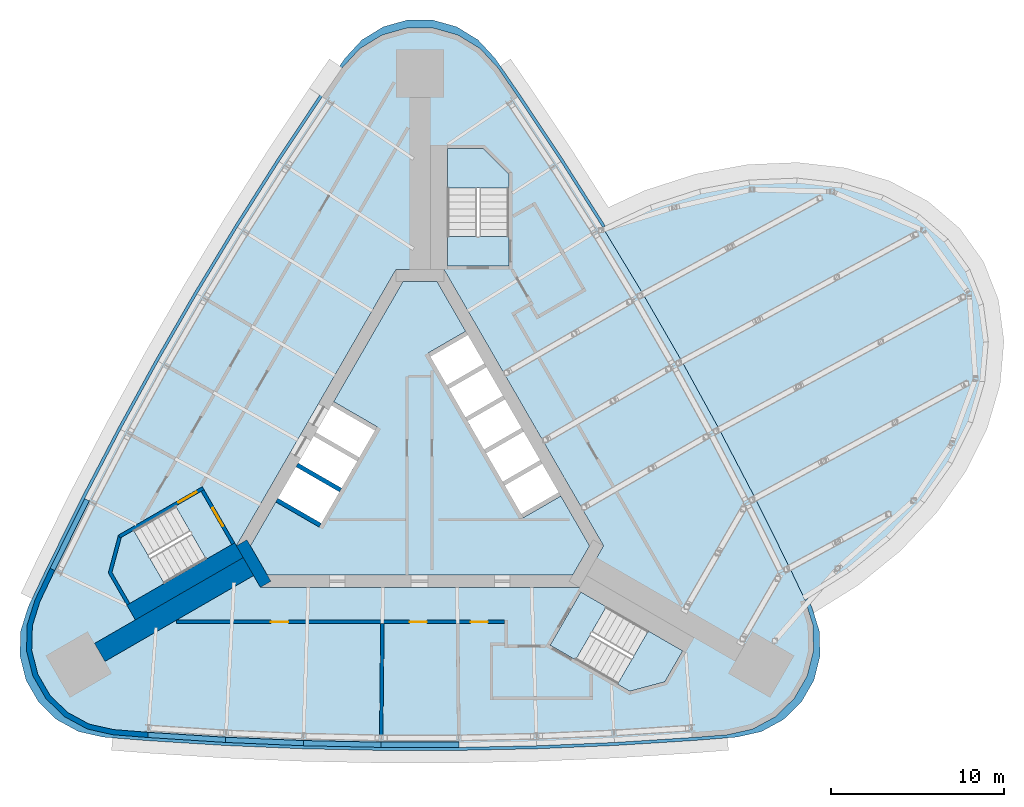
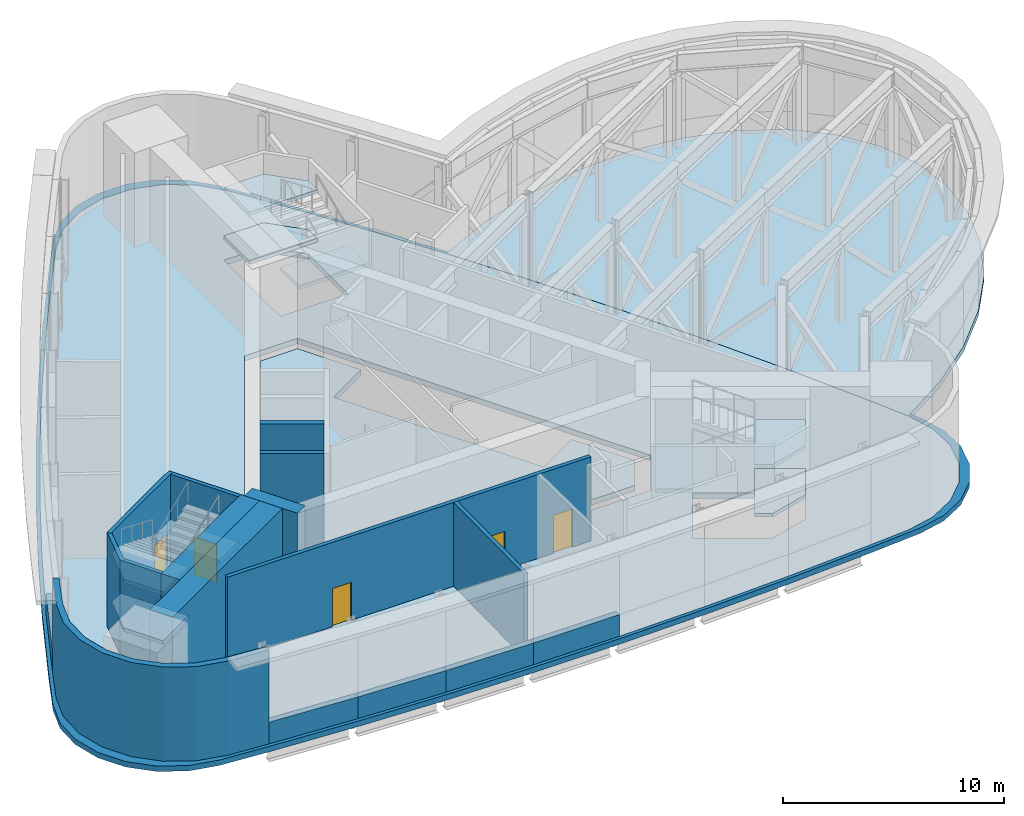
# One storey, part 6 of 11: 16 walls, 13 slabs, 5 doors, 5 openings, 3 elements without a shape of their own.
"""IFC4 building model written with IfcOpenShell, lengths in metres."""

from ifc_helpers import new_model, si_unit, direction, frame, frame_2d, origin, place, context, subcontext, project, spatial, polyline, rectangle, outline, extrude, material, layer, layer_set, type_object, element, fill, aggregate, save


model = new_model("IFC4")

# Units and contexts
model_context = context("Model", 3, precision=1e-05, world=origin(), true_north=direction((0.0, 1.0)))
body_context = subcontext(model_context, "Body", "Model", "MODEL_VIEW")
ifc_project = project(units=[si_unit("LENGTHUNIT", "METRE"), si_unit("AREAUNIT", "SQUARE_METRE"), si_unit("VOLUMEUNIT", "CUBIC_METRE"), si_unit("PLANEANGLEUNIT", "RADIAN"), si_unit("MASSUNIT", "GRAM", prefix="KILO")], contexts=[model_context])

# Site, building, storey
site_placement = place(None, origin())
site = spatial("IfcSite", under=ifc_project, at=site_placement, CompositionType="ELEMENT")
building_placement = place(site_placement, origin())
building = spatial("IfcBuilding", under=site, at=building_placement, Name="Noor Cloister Tower", CompositionType="ELEMENT")
storey_placement = place(building_placement, frame((0.0, 0.0, 168.89990234375)))
storey = spatial("IfcBuildingStorey", under=building, at=storey_placement, Name="L43", CompositionType="ELEMENT", Elevation=168.89990234375)

# Slabs
ifc_material_1 = material(Name="Concrete C40/50", Category="concrete")
ifc_layer_1 = layer(ifc_material_1, 0.300048828125)
ifc_layer_set_1 = layer_set([ifc_layer_1], Name="Core floor slab 300 C40/50")
slab_type_1 = type_object("IfcSlabType", Name="Core floor slab 300 C40/50", PredefinedType="FLOOR", material=ifc_layer_set_1)
slab_1_placement = place(storey_placement, frame((0.0, 0.0, -0.2998046875)))
element("IfcSlab", 1, at=slab_1_placement, inside=storey, type_object=slab_type_1, Name="Core floor L43", PredefinedType="FLOOR", context=body_context, shape_type="SweptSolid", body=[
    extrude(outline(polyline([(2.643798828125, 7.877197265625), (0.9814453125, 10.75634765625), (-0.9814453125, 10.75634765625), (-4.993896484375, 3.806884765625), (-2.482421875, 2.35693359375), (-5.832275390625, -3.4453125), (-8.34375, -1.995361328125), (-9.80615234375, -4.5283203125), (-8.82470703125, -6.228271484375), (8.82470703125, -6.228271484375), (9.80615234375, -4.5283203125), (8.143798828125, -1.64892578125), (5.978759765625, -2.89892578125), (0.478759765625, 6.627197265625), (2.643798828125, 7.877197265625)])), origin(), (0.0, 0.0, 1.0), 0.2998046875),
])
ifc_material_2 = material(Name="Concrete C40/50", Category="concrete")
ifc_layer_2 = layer(ifc_material_2, 0.300048828125)
ifc_layer_set_2 = layer_set([ifc_layer_2], Name="Floor slab 300 C40/50")
slab_type_2 = type_object("IfcSlabType", Name="Floor slab 300 C40/50", PredefinedType="FLOOR", material=ifc_layer_set_2)
slab_2_placement = place(storey_placement, frame((0.0, 0.0, -0.2998046875)))
element("IfcSlab", 2, at=slab_2_placement, inside=storey, type_object=slab_type_2, Name="Floor slab L43", PredefinedType="FLOOR", context=body_context, shape_type="SweptSolid", body=[
    extrude(outline(polyline([(4.496826171875, 23.113037109375), (3.47802734375, 24.2177734375), (2.197509765625, 25.00390625), (0.751220703125, 25.412353515625), (-0.751220703125, 25.412353515625), (-2.197509765625, 25.00390625), (-3.47802734375, 24.2177734375), (-4.496826171875, 23.113037109375), (-5.65234375, 21.43310546875), (-8.145263671875, 17.68701171875), (-10.55810546875, 13.888671875), (-12.89013671875, 10.0400390625), (-15.14013671875, 6.14306640625), (-17.30712890625, 2.19921875), (-19.389892578125, -1.78955078125), (-21.387939453125, -5.821533203125), (-22.264892578125, -7.662353515625), (-22.712158203125, -9.096923828125), (-22.752685546875, -10.598876953125), (-22.38330078125, -12.055419921875), (-21.632080078125, -13.35693359375), (-20.55517578125, -14.405029296875), (-19.234130859375, -15.120849609375), (-17.76806640625, -15.450927734375), (-15.735595703125, -15.611572265625), (-11.24462890625, -15.8974609375), (-6.748779296875, -16.087890625), (-2.25, -16.183349609375), (2.25, -16.183349609375), (6.748779296875, -16.087890625), (11.24462890625, -15.8974609375), (15.735595703125, -15.611572265625), (17.76806640625, -15.450927734375), (19.234130859375, -15.120849609375), (20.55517578125, -14.405029296875), (21.632080078125, -13.35693359375), (22.38330078125, -12.055419921875), (22.752685546875, -10.598876953125), (22.712158203125, -9.096923828125), (22.264892578125, -7.662353515625), (21.387939453125, -5.821533203125), (19.389892578125, -1.78955078125), (17.30712890625, 2.19921875), (15.14013671875, 6.14306640625), (12.89013671875, 10.0400390625), (10.55810546875, 13.888671875), (8.145263671875, 17.68701171875), (5.65234375, 21.43310546875), (4.496826171875, 23.113037109375)]), holes=[polyline([(8.999755859375, -11.126220703125), (12.131591796875, -12.934326171875), (14.1572265625, -12.3916015625), (15.19091796875, -10.601318359375), (10.774658203125, -8.0517578125), (8.999755859375, -11.126220703125)]), polyline([(-17.81005859375, -6.064697265625), (-16.776611328125, -7.85498046875), (-12.3603515625, -5.305419921875), (-14.13525390625, -2.23095703125), (-16.662841796875, -3.690185546875), (-17.267333984375, -4.039306640625), (-17.81005859375, -6.064697265625)]), polyline([(-10.6142578125, -4.5283203125), (-9.228759765625, -6.92822265625), (9.228759765625, -6.92822265625), (10.6142578125, -4.5283203125), (1.3857421875, 11.456298828125), (-1.3857421875, 11.456298828125), (-10.6142578125, -4.5283203125)]), polyline([(3.65283203125, 18.456298828125), (1.585693359375, 18.456298828125), (1.585693359375, 13.35693359375), (5.135498046875, 13.35693359375), (5.135498046875, 16.9736328125), (3.65283203125, 18.456298828125)])]), origin(), (0.0, 0.0, 1.0), 0.2998046875),
])
ifc_material_3 = material(Name="Concrete C40/50", Category="concrete")
ifc_layer_3 = layer(ifc_material_3, 0.300048828125)
ifc_layer_set_3 = layer_set([ifc_layer_3], Name="Ledge roof 300 C40/50")
slab_type_3 = type_object("IfcSlabType", Name="Ledge roof 300 C40/50", PredefinedType="ROOF", material=ifc_layer_set_3)
slab_3_placement = place(storey_placement, frame((0.0, 0.0, -0.2998046875)))
element("IfcSlab", 3, at=slab_3_placement, inside=storey, type_object=slab_type_3, Name="Ledge roof L43", PredefinedType="ROOF", context=body_context, shape_type="SweptSolid", body=[
    extrude(outline(polyline([(8.2998046875, 17.7763671875), (5.8095703125, 21.5244140625), (4.335693359375, 23.665283203125), (3.3525390625, 24.728271484375), (2.11767578125, 25.484619140625), (0.72412109375, 25.87744140625), (-0.72412109375, 25.87744140625), (-2.11767578125, 25.484619140625), (-3.3525390625, 24.728271484375), (-4.335693359375, 23.665283203125), (-5.8095703125, 21.5244140625), (-8.2998046875, 17.7763671875), (-10.7109375, 13.97705078125), (-13.0419921875, 10.1279296875), (-15.2919921875, 6.23095703125), (-17.4599609375, 2.28759765625), (-19.544677734375, -1.7001953125), (-21.54541015625, -5.73095703125), (-22.66259765625, -8.077880859375), (-23.091552734375, -9.4609375), (-23.129150390625, -10.908447265625), (-22.772705078125, -12.311767578125), (-22.048583984375, -13.565673828125), (-21.011474609375, -14.576171875), (-19.739013671875, -15.267333984375), (-18.326904296875, -15.58740234375), (-15.73583984375, -15.79345703125), (-11.244873046875, -16.075927734375), (-6.748779296875, -16.264404296875), (-2.25, -16.358642578125), (2.25, -16.358642578125), (6.748779296875, -16.264404296875), (11.244873046875, -16.075927734375), (15.73583984375, -15.79345703125), (18.326904296875, -15.58740234375), (19.739013671875, -15.267333984375), (21.011474609375, -14.576171875), (22.048583984375, -13.565673828125), (22.772705078125, -12.311767578125), (23.129150390625, -10.908447265625), (23.091552734375, -9.4609375), (22.66259765625, -8.077880859375), (22.4189453125, -7.56591796875), (22.264892578125, -7.662353515625), (22.712158203125, -9.096923828125), (22.752685546875, -10.598876953125), (22.38330078125, -12.055419921875), (21.632080078125, -13.35693359375), (20.55517578125, -14.405029296875), (19.234130859375, -15.120849609375), (17.76806640625, -15.450927734375), (15.735595703125, -15.611572265625), (11.24462890625, -15.8974609375), (6.748779296875, -16.087890625), (2.25, -16.183349609375), (-2.25, -16.183349609375), (-6.748779296875, -16.087890625), (-11.24462890625, -15.8974609375), (-15.735595703125, -15.611572265625), (-17.76806640625, -15.450927734375), (-19.234130859375, -15.120849609375), (-20.55517578125, -14.405029296875), (-21.632080078125, -13.35693359375), (-22.38330078125, -12.055419921875), (-22.752685546875, -10.598876953125), (-22.712158203125, -9.096923828125), (-22.264892578125, -7.662353515625), (-21.387939453125, -5.821533203125), (-19.389892578125, -1.78955078125), (-17.30712890625, 2.19921875), (-15.14013671875, 6.14306640625), (-12.89013671875, 10.0400390625), (-10.55810546875, 13.888671875), (-8.145263671875, 17.68701171875), (-5.65234375, 21.43310546875), (-4.496826171875, 23.113037109375), (-3.47802734375, 24.2177734375), (-2.197509765625, 25.00390625), (-0.751220703125, 25.412353515625), (0.751220703125, 25.412353515625), (2.197509765625, 25.00390625), (3.47802734375, 24.2177734375), (4.496826171875, 23.113037109375), (5.65234375, 21.43310546875), (8.145263671875, 17.68701171875), (10.55810546875, 13.888671875), (10.718994140625, 13.963623046875), (10.7109375, 13.97705078125), (8.2998046875, 17.7763671875)])), origin(), (0.0, 0.0, 1.0), 0.2998046875),
])
ifc_material_4 = material(Name="Concrete C40/50", Category="concrete")
ifc_layer_4 = layer(ifc_material_4, 0.300048828125)
ifc_layer_set_4 = layer_set([ifc_layer_4], Name="Pod floor slab 300")
slab_type_4 = type_object("IfcSlabType", Name="Pod floor slab 300", PredefinedType="FLOOR", material=ifc_layer_set_4)
slab_4_placement = place(storey_placement, frame((0.0, 0.0, -0.2998046875)))
element("IfcSlab", 4, at=slab_4_placement, inside=storey, type_object=slab_type_4, Name="Pod floor slab L43", PredefinedType="FLOOR", context=body_context, shape_type="SweptSolid", body=[
    extrude(outline(polyline([(22.264892578125, -7.662353515625), (24.84619140625, -6.048095703125), (27.17138671875, -4.155517578125), (29.16943359375, -2.0419921875), (30.780029296875, 0.22802734375), (31.953857421875, 2.5859375), (32.65576171875, 4.959716796875), (32.86376953125, 7.27734375), (32.572021484375, 9.468505859375), (31.7890625, 11.466552734375), (30.5390625, 13.210693359375), (28.85986328125, 14.648193359375), (26.80224609375, 15.735107421875), (24.428955078125, 16.4384765625), (21.81201171875, 16.737060546875), (19.03125, 16.62158203125), (16.170654296875, 16.095947265625), (13.3173828125, 15.175537109375), (10.55810546875, 13.888671875), (12.89013671875, 10.0400390625), (15.14013671875, 6.14306640625), (17.30712890625, 2.19921875), (19.389892578125, -1.78955078125), (21.387939453125, -5.821533203125), (22.264892578125, -7.662353515625)])), origin(), (0.0, 0.0, 1.0), 0.2998046875),
])

# Stair, slabs
ifc_material_5 = material(Name="Concrete C40/50", Category="concrete")
stair_type = type_object("IfcStairType", Name="Exit stair 32 risers", PredefinedType="HALF_TURN_STAIR", material=ifc_material_5)
stair_1_placement = place(storey_placement, origin())
stair_1 = element("IfcStair", 5, at=stair_1_placement, inside=storey, type_object=stair_type, Name="Exit stair ST1 L43", PredefinedType="HALF_TURN_STAIR")
ifc_material_6 = material(Name="Concrete C40/50", Category="concrete")
ifc_layer_5 = layer(ifc_material_6, 0.199951171875)
ifc_layer_set_5 = layer_set([ifc_layer_5], Name="Stair landing 200 C40/50")
slab_type_5 = type_object("IfcSlabType", Name="Stair landing 200 C40/50", PredefinedType="LANDING", material=ifc_layer_set_5)
slab_5_placement = place(storey_placement, frame((0.0, 0.0, 1.150146484375)))
slab_5 = element("IfcSlab", 6, at=slab_5_placement, type_object=slab_type_5, Name="ST1 landing 1", PredefinedType="LANDING", context=body_context, shape_type="SweptSolid", body=[
    extrude(outline(polyline([(5.135498046875, 16.15576171875), (5.135498046875, 16.9736328125), (3.65283203125, 18.456298828125), (1.585693359375, 18.456298828125), (1.585693359375, 16.15576171875), (5.135498046875, 16.15576171875)])), origin(), (0.0, 0.0, 1.0), 0.199951171875),
])
slab_6_placement = place(storey_placement, frame((0.0, 0.0, 2.5)))
slab_6 = element("IfcSlab", 7, at=slab_6_placement, type_object=slab_type_5, Name="ST1 landing 2", PredefinedType="LANDING", context=body_context, shape_type="SweptSolid", body=[
    extrude(outline(polyline([(1.585693359375, 13.35693359375), (1.585693359375, 11.656494140625), (5.135498046875, 11.656494140625), (5.135498046875, 13.35693359375), (1.585693359375, 13.35693359375)])), origin(), (0.0, 0.0, 1.0), 0.2001953125),
])
slab_7_placement = place(storey_placement, frame((0.0, 0.0, 3.85009765625)))
slab_7 = element("IfcSlab", 8, at=slab_7_placement, type_object=slab_type_5, Name="ST1 landing 3", PredefinedType="LANDING", context=body_context, shape_type="SweptSolid", body=[
    extrude(outline(polyline([(5.135498046875, 16.15576171875), (5.135498046875, 16.9736328125), (3.65283203125, 18.456298828125), (1.585693359375, 18.456298828125), (1.585693359375, 16.15576171875), (5.135498046875, 16.15576171875)])), origin(), (0.0, 0.0, 1.0), 0.199951171875),
])
aggregate(stair_1, [slab_5, slab_6, slab_7])

stair_2_placement = place(storey_placement, origin())
stair_2 = element("IfcStair", 9, at=stair_2_placement, inside=storey, type_object=stair_type, Name="Exit stair ST2 L43", PredefinedType="HALF_TURN_STAIR")
slab_8_placement = place(storey_placement, frame((0.0, 0.0, 1.150146484375)))
slab_8 = element("IfcSlab", 10, at=slab_8_placement, type_object=slab_type_5, Name="ST2 landing 1", PredefinedType="LANDING", context=body_context, shape_type="SweptSolid", body=[
    extrude(outline(polyline([(-16.55908203125, -3.63037109375), (-17.267333984375, -4.039306640625), (-17.81005859375, -6.064697265625), (-16.776611328125, -7.85498046875), (-14.7841796875, -6.70458984375), (-16.55908203125, -3.63037109375)])), origin(), (0.0, 0.0, 1.0), 0.199951171875),
])
slab_9_placement = place(storey_placement, frame((0.0, 0.0, 2.5)))
slab_9 = element("IfcSlab", 11, at=slab_9_placement, type_object=slab_type_5, Name="ST2 landing 2", PredefinedType="LANDING", context=body_context, shape_type="SweptSolid", body=[
    extrude(outline(polyline([(-12.3603515625, -5.305419921875), (-10.8876953125, -4.455078125), (-12.66259765625, -1.380615234375), (-14.13525390625, -2.23095703125), (-12.3603515625, -5.305419921875)])), origin(), (0.0, 0.0, 1.0), 0.2001953125),
])
slab_10_placement = place(storey_placement, frame((0.0, 0.0, 3.85009765625)))
slab_10 = element("IfcSlab", 12, at=slab_10_placement, type_object=slab_type_5, Name="ST2 landing 3", PredefinedType="LANDING", context=body_context, shape_type="SweptSolid", body=[
    extrude(outline(polyline([(-16.55908203125, -3.63037109375), (-17.267333984375, -4.039306640625), (-17.81005859375, -6.064697265625), (-16.776611328125, -7.85498046875), (-14.7841796875, -6.70458984375), (-16.55908203125, -3.63037109375)])), origin(), (0.0, 0.0, 1.0), 0.199951171875),
])
aggregate(stair_2, [slab_8, slab_9, slab_10])

stair_3_placement = place(storey_placement, origin())
stair_3 = element("IfcStair", 13, at=stair_3_placement, inside=storey, type_object=stair_type, Name="Exit stair ST3 L43", PredefinedType="HALF_TURN_STAIR")
slab_11_placement = place(storey_placement, frame((0.0, 0.0, 1.150146484375)))
slab_11 = element("IfcSlab", 14, at=slab_11_placement, type_object=slab_type_5, Name="ST3 landing 1", PredefinedType="LANDING", context=body_context, shape_type="SweptSolid", body=[
    extrude(outline(polyline([(11.423583984375, -12.525390625), (12.131591796875, -12.934326171875), (14.1572265625, -12.3916015625), (15.19091796875, -10.601318359375), (13.198486328125, -9.451171875), (11.423583984375, -12.525390625)])), origin(), (0.0, 0.0, 1.0), 0.199951171875),
])
slab_12_placement = place(storey_placement, frame((0.0, 0.0, 2.5)))
slab_12 = element("IfcSlab", 15, at=slab_12_placement, type_object=slab_type_5, Name="ST3 landing 2", PredefinedType="LANDING", context=body_context, shape_type="SweptSolid", body=[
    extrude(outline(polyline([(10.774658203125, -8.0517578125), (9.302001953125, -7.201416015625), (7.52685546875, -10.27587890625), (8.999755859375, -11.126220703125), (10.774658203125, -8.0517578125)])), origin(), (0.0, 0.0, 1.0), 0.2001953125),
])
slab_13_placement = place(storey_placement, frame((0.0, 0.0, 3.85009765625)))
slab_13 = element("IfcSlab", 16, at=slab_13_placement, type_object=slab_type_5, Name="ST3 landing 3", PredefinedType="LANDING", context=body_context, shape_type="SweptSolid", body=[
    extrude(outline(polyline([(11.423583984375, -12.525390625), (12.131591796875, -12.934326171875), (14.1572265625, -12.3916015625), (15.19091796875, -10.601318359375), (13.198486328125, -9.451171875), (11.423583984375, -12.525390625)])), origin(), (0.0, 0.0, 1.0), 0.199951171875),
])
aggregate(stair_3, [slab_11, slab_12, slab_13])

# Walls
ifc_material_7 = material(Name="Concrete C70/85", Category="concrete")
ifc_layer_6 = layer(ifc_material_7, 1.199951171875)
ifc_layer_set_6 = layer_set([ifc_layer_6], Name="Buttress wall 1200 C70/85")
wall_type_1 = type_object("IfcWallType", Name="Buttress wall 1200 C70/85", PredefinedType="SHEAR", material=ifc_layer_set_6)
wall_1_placement = place(storey_placement, frame((-9.921630859375, -5.728271484375, -0.2998046875), z_axis=(0.0, 0.0, 1.0), x_axis=(-0.866029553954, -0.499992811627, 0.0)))
element("IfcWall", 17, at=wall_1_placement, inside=storey, type_object=wall_type_1, Name="Buttress wall SW L43", PredefinedType="SHEAR", context=body_context, shape_type="SweptSolid", body=[
    extrude(rectangle(XDim=9.927490234375, YDim=1.199951171875, at=frame_2d((4.9638671875, 0.0))), origin(), (0.0, 0.0, 1.0), 5.5),
])
ifc_material_8 = material(Name="Concrete C70/85", Category="concrete")
ifc_layer_7 = layer(ifc_material_8, 0.699951171875)
ifc_layer_set_7 = layer_set([ifc_layer_7], Name="Core wall 700 C70/85")
wall_type_2 = type_object("IfcWallType", Name="Core wall 700 C70/85", PredefinedType="SHEAR", material=ifc_layer_set_7)
wall_2_placement = place(storey_placement, frame((-10.311279296875, -4.353271484375, -0.2998046875), z_axis=(0.0, 0.0, 1.0), x_axis=(0.500042739161, -0.866000726912, 0.0)))
element("IfcWall", 18, at=wall_2_placement, inside=storey, type_object=wall_type_2, Name="Core wall L43 6", PredefinedType="SHEAR", context=body_context, shape_type="SweptSolid", body=[
    extrude(rectangle(XDim=2.771240234375, YDim=0.699951171875, at=frame_2d((1.3857421875, 0.0))), origin(), (0.0, 0.0, 1.0), 5.5),
])
ifc_material_9 = material(Name="Limestone", Category="masonry")
ifc_layer_8 = layer(ifc_material_9, 0.300048828125)
ifc_layer_set_8 = layer_set([ifc_layer_8], Name="Limestone cladding 300")
wall_type_3 = type_object("IfcWallType", Name="Limestone cladding 300", PredefinedType="NOTDEFINED", material=ifc_layer_set_8)
wall_3_placement = place(storey_placement, origin())
element("IfcWall", 19, at=wall_3_placement, inside=storey, type_object=wall_type_3, Name="Limestone pier cladding L43 1.1", PredefinedType="NOTDEFINED", context=body_context, shape_type="SweptSolid", body=[
    extrude(outline(polyline([(-21.387939453125, -5.821533203125), (-22.264892578125, -7.662353515625), (-22.712158203125, -9.096923828125), (-22.752685546875, -10.598876953125), (-22.38330078125, -12.055419921875), (-21.632080078125, -13.35693359375), (-20.55517578125, -14.405029296875), (-19.234130859375, -15.120849609375), (-17.76806640625, -15.450927734375), (-15.735595703125, -15.611572265625), (-15.7119140625, -15.3125), (-17.72314453125, -15.153564453125), (-19.127685546875, -14.83740234375), (-20.375732421875, -14.160888671875), (-21.39306640625, -13.1708984375), (-22.102783203125, -11.94140625), (-22.45166015625, -10.5654296875), (-22.413330078125, -9.146484375), (-21.98486328125, -7.77197265625), (-21.116943359375, -5.95068359375), (-21.387939453125, -5.821533203125)])), origin(), (0.0, 0.0, 1.0), 5.2001953125),
])
ifc_material_10 = material(Name="Limestone", Category="masonry")
ifc_layer_9 = layer(ifc_material_10, 0.300048828125)
ifc_layer_set_9 = layer_set([ifc_layer_9], Name="Limestone panel wall 300")
wall_type_4 = type_object("IfcWallType", Name="Limestone panel wall 300", PredefinedType="NOTDEFINED", material=ifc_layer_set_9)
wall_4_placement = place(storey_placement, origin())
element("IfcWall", 20, at=wall_4_placement, inside=storey, type_object=wall_type_4, Name="Limestone panel wall L43 1.7", PredefinedType="NOTDEFINED", context=body_context, shape_type="SweptSolid", body=[
    extrude(outline(polyline([(-19.389892578125, -1.78955078125), (-21.387939453125, -5.821533203125), (-21.119140625, -5.954833984375), (-19.12109375, -1.9228515625), (-19.389892578125, -1.78955078125)])), origin(), (0.0, 0.0, 1.0), 1.2001953125),
])
wall_5_placement = place(storey_placement, origin())
element("IfcWall", 21, at=wall_5_placement, inside=storey, type_object=wall_type_4, Name="Limestone panel wall L43 2.1", PredefinedType="NOTDEFINED", context=body_context, shape_type="SweptSolid", body=[
    extrude(outline(polyline([(-15.735595703125, -15.611572265625), (-11.24462890625, -15.8974609375), (-11.2255859375, -15.597900390625), (-15.716552734375, -15.312255859375), (-15.735595703125, -15.611572265625)])), origin(), (0.0, 0.0, 1.0), 1.2001953125),
])
wall_6_placement = place(storey_placement, origin())
element("IfcWall", 22, at=wall_6_placement, inside=storey, type_object=wall_type_4, Name="Limestone panel wall L43 2.2", PredefinedType="NOTDEFINED", context=body_context, shape_type="SweptSolid", body=[
    extrude(outline(polyline([(-11.24462890625, -15.8974609375), (-6.748779296875, -16.087890625), (-6.736083984375, -15.788330078125), (-11.23193359375, -15.59765625), (-11.24462890625, -15.8974609375)])), origin(), (0.0, 0.0, 1.0), 1.2001953125),
])
wall_7_placement = place(storey_placement, origin())
element("IfcWall", 23, at=wall_7_placement, inside=storey, type_object=wall_type_4, Name="Limestone panel wall L43 2.3", PredefinedType="NOTDEFINED", context=body_context, shape_type="SweptSolid", body=[
    extrude(outline(polyline([(-6.748779296875, -16.087890625), (-2.25, -16.183349609375), (-2.24365234375, -15.88330078125), (-6.742431640625, -15.7880859375), (-6.748779296875, -16.087890625)])), origin(), (0.0, 0.0, 1.0), 1.2001953125),
])
wall_8_placement = place(storey_placement, origin())
element("IfcWall", 24, at=wall_8_placement, inside=storey, type_object=wall_type_4, Name="Limestone panel wall L43 2.4", PredefinedType="NOTDEFINED", context=body_context, shape_type="SweptSolid", body=[
    extrude(outline(polyline([(-2.25, -16.183349609375), (2.25, -16.183349609375), (2.25, -15.88330078125), (-2.25, -15.88330078125), (-2.25, -16.183349609375)])), origin(), (0.0, 0.0, 1.0), 1.2001953125),
])
ifc_material_11 = material(Name="Concrete C70/85", Category="concrete")
ifc_layer_10 = layer(ifc_material_11, 0.25)
ifc_layer_set_10 = layer_set([ifc_layer_10], Name="Shaft wall 250 C70/85")
wall_type_5 = type_object("IfcWallType", Name="Shaft wall 250 C70/85", PredefinedType="PARTITIONING", material=ifc_layer_set_10)
for number, where, z_axis, x_axis, name in (
    (25, (-7.106201171875, 0.14794921875, -0.2998046875), (0.0, 0.0, 1.0), (0.866032775405, -0.499987231761, 0.0), "Lift shaft wall L43 NW 5"),
    (26, (-8.28125, -1.88720703125, -0.2998046875), (0.0, 0.0, 1.0), (0.866032775405, -0.499987231761, 0.0), "Lift shaft wall L43 NW 6"),
):
    element("IfcWall", number, at=place(storey_placement, frame(where, z_axis=z_axis, x_axis=x_axis)), inside=storey, type_object=wall_type_5, Name=name, PredefinedType="PARTITIONING", context=body_context, shape_type="SweptSolid", body=[
        extrude(rectangle(XDim=2.89990234375, YDim=0.25, at=frame_2d((1.449951171875, 0.0))), origin(), (0.0, 0.0, 1.0), 5.5),
    ])

# Wall, opening, door
ifc_material_12 = material(Name="Concrete C70/85", Category="concrete")
ifc_layer_11 = layer(ifc_material_12, 0.199951171875)
ifc_layer_set_11 = layer_set([ifc_layer_11], Name="Stair enclosure wall 200 C70/85")
wall_type_6 = type_object("IfcWallType", Name="Stair enclosure wall 200 C70/85", PredefinedType="SHEAR", material=ifc_layer_set_11)
wall_9_placement = place(storey_placement, frame((-12.575927734375, -1.33056640625, -0.2998046875), z_axis=(0.0, 0.0, 1.0), x_axis=(0.499970499736, -0.8660424351, 0.0)))
wall_9 = element("IfcWall", 27, at=wall_9_placement, inside=storey, type_object=wall_type_6, Name="Stair enclosure wall ST2 L43 near end", PredefinedType="SHEAR", context=body_context, shape_type="SweptSolid", body=[
    extrude(rectangle(XDim=3.550048828125, YDim=0.199951171875, at=frame_2d((1.77490234375, 0.0))), origin(), (0.0, 0.0, 1.0), 5.5),
])
opening_1_placement = place(wall_9_placement, frame((1.175048828125, 0.0, 0.300048828125)))
opening_1 = element("IfcOpeningElement", 28, at=opening_1_placement, cuts=wall_9, Name="Opening L43-ST2L", PredefinedType="OPENING", context=body_context, shape_type="SweptSolid", body=[
    extrude(rectangle(XDim=1.199951171875, YDim=2.10009765625, at=frame_2d((0.60009765625, 1.050048828125))), frame((0.0, 0.10986328125, 0.0), z_axis=(0.0, -1.0, 0.0), x_axis=(1.0, 0.0, 0.0)), (0.0, 0.0, 1.0), 0.219970703125),
])
ifc_material_13 = material(Name="Steel", Category="steel")
door_type_1 = type_object("IfcDoorType", Name="Stair door 1200 x 2100 FD120", OperationType="SINGLE_SWING_LEFT", PredefinedType="DOOR", material=ifc_material_13)
door_1_placement = place(opening_1_placement, origin())
door_1 = element("IfcDoor", 29, at=door_1_placement, inside=storey, type_object=door_type_1, Name="Stair door ST2 L43", OperationType="SINGLE_SWING_RIGHT", OverallHeight=2.10009765625, OverallWidth=1.199951171875, PredefinedType="DOOR", context=body_context, shape_type="SweptSolid", body=[
    extrude(rectangle(XDim=1.199951171875, YDim=2.10009765625, at=frame_2d((0.60009765625, 1.050048828125))), frame((0.0, 0.02490234375, 0.0), z_axis=(0.0, -1.0, 0.0), x_axis=(1.0, 0.0, 0.0)), (0.0, 0.0, 1.0), 0.050048828125),
])
fill(opening_1, door_1)

wall_10_placement = place(storey_placement, frame((-12.539306640625, -1.194091796875, -0.2998046875), z_axis=(0.0, 0.0, 1.0), x_axis=(-0.866045472092, -0.499965239061, 0.0)))
wall_10 = element("IfcWall", 30, at=wall_10_placement, inside=storey, type_object=wall_type_6, Name="Stair enclosure wall ST2 L43 outer side", PredefinedType="SHEAR", context=body_context, shape_type="SweptSolid", body=[
    extrude(rectangle(XDim=5.60009765625, YDim=0.199951171875, at=frame_2d((2.800048828125, 0.0))), origin(), (0.0, 0.0, 1.0), 5.5),
])
opening_2_placement = place(wall_10_placement, frame((0.449951171875, 0.0, 0.300048828125)))
opening_2 = element("IfcOpeningElement", 31, at=opening_2_placement, cuts=wall_10, Name="Opening L43-ST2C", PredefinedType="OPENING", context=body_context, shape_type="SweptSolid", body=[
    extrude(rectangle(XDim=1.199951171875, YDim=2.10009765625, at=frame_2d((0.60009765625, 1.050048828125))), frame((0.0, 0.10986328125, 0.0), z_axis=(0.0, -1.0, 0.0), x_axis=(1.0, 0.0, 0.0)), (0.0, 0.0, 1.0), 0.219970703125),
])
door_2_placement = place(opening_2_placement, origin())
door_2 = element("IfcDoor", 32, at=door_2_placement, inside=storey, type_object=door_type_1, Name="Stair door ST2 L43", OperationType="SINGLE_SWING_LEFT", OverallHeight=2.10009765625, OverallWidth=1.199951171875, PredefinedType="DOOR", context=body_context, shape_type="SweptSolid", body=[
    extrude(rectangle(XDim=1.199951171875, YDim=2.10009765625, at=frame_2d((0.60009765625, 1.050048828125))), frame((0.0, 0.02490234375, 0.0), z_axis=(0.0, -1.0, 0.0), x_axis=(1.0, 0.0, 0.0)), (0.0, 0.0, 1.0), 0.050048828125),
])
fill(opening_2, door_2)

# Walls
ifc_material_14 = material(Name="Concrete C70/85", Category="concrete")
ifc_layer_12 = layer(ifc_material_14, 0.986083984375)
ifc_layer_set_12 = layer_set([ifc_layer_12], Name="Stair enclosure wall 986 C70/85")
wall_type_7 = type_object("IfcWallType", Name="Stair enclosure wall 986 C70/85", PredefinedType="SHEAR", material=ifc_layer_set_12)
wall_11_placement = place(storey_placement, frame((-10.468017578125, -4.78173828125, -0.2998046875), z_axis=(0.0, 0.0, 1.0), x_axis=(-0.866018442252, -0.500012057535, 0.0)))
element("IfcWall", 33, at=wall_11_placement, inside=storey, type_object=wall_type_7, Name="Stair enclosure wall ST2 L43 riser side", PredefinedType="SHEAR", context=body_context, shape_type="SweptSolid", body=[
    extrude(rectangle(XDim=7.199951171875, YDim=0.985595703125, at=frame_2d((3.60009765625, 0.0))), origin(), (0.0, 0.0, 1.0), 5.5),
])
ifc_material_15 = material(Name="Concrete C70/85", Category="concrete")
wall_type_8 = type_object("IfcWallType", Name="Stair far end wall C70/85", PredefinedType="SHEAR", material=ifc_material_15)
wall_12_placement = place(storey_placement, frame((0.0, 0.0, -0.2998046875)))
element("IfcWall", 34, at=wall_12_placement, inside=storey, type_object=wall_type_8, Name="Stair enclosure wall ST2 L43 far end", PredefinedType="SHEAR", context=body_context, shape_type="SweptSolid", body=[
    extrude(outline(polyline([(-17.439208984375, -3.907470703125), (-18.024658203125, -6.093017578125), (-16.94970703125, -7.955078125), (-16.776611328125, -7.85498046875), (-17.81005859375, -6.064697265625), (-17.267333984375, -4.039306640625), (-17.339111328125, -4.08056640625), (-17.339111328125, -4.08056640625), (-17.339111328125, -4.08056640625), (-17.339111328125, -4.08056640625), (-17.339111328125, -4.08056640625), (-17.339111328125, -4.08056640625), (-17.339111328125, -4.08056640625), (-17.339111328125, -4.08056640625), (-17.339111328125, -4.08056640625), (-17.339111328125, -4.08056640625), (-17.339111328125, -4.08056640625), (-17.339111328125, -4.08056640625), (-17.339111328125, -4.08056640625), (-17.339111328125, -4.08056640625), (-17.339111328125, -4.08056640625), (-17.339111328125, -4.08056640625), (-17.339111328125, -4.08056640625), (-17.439208984375, -3.907470703125)])), origin(), (0.0, 0.0, 1.0), 5.5),
])

# Wall, openings, doors
ifc_material_16 = material(Name="Concrete block wall, 200 mm", Category="concrete")
ifc_layer_13 = layer(ifc_material_16, 0.199951171875)
ifc_layer_set_13 = layer_set([ifc_layer_13], Name="Upper floor plant room wall 200")
wall_type_9 = type_object("IfcWallType", Name="Upper floor plant room wall 200", PredefinedType="PARTITIONING", material=ifc_layer_set_13)
wall_13_placement = place(storey_placement, frame((-14.0908203125, -8.92822265625, 0.0), z_axis=(0.0, 0.0, 1.0), x_axis=(1.0, 0.0, 0.0)))
wall_13 = element("IfcWall", 35, at=wall_13_placement, inside=storey, type_object=wall_type_9, Name="Upper floor plant room wall 200 L43 009", PredefinedType="PARTITIONING", context=body_context, shape_type="SweptSolid", body=[
    extrude(rectangle(XDim=18.99072265625, YDim=0.199951171875, at=frame_2d((9.495361328125, 0.0))), origin(), (0.0, 0.0, 1.0), 4.647216796875),
])
opening_3_placement = place(wall_13_placement, frame((5.47412109375, 0.0, 0.0)))
opening_3 = element("IfcOpeningElement", 36, at=opening_3_placement, cuts=wall_13, Name="Opening L43-006", PredefinedType="OPENING", context=body_context, shape_type="SweptSolid", body=[
    extrude(rectangle(XDim=1.0, YDim=2.10009765625, at=frame_2d((0.5, 1.050048828125))), frame((0.0, 0.10986328125, 0.0), z_axis=(0.0, -1.0, 0.0), x_axis=(1.0, 0.0, 0.0)), (0.0, 0.0, 1.0), 0.219970703125),
])
opening_4_placement = place(wall_13_placement, frame((13.489013671875, 0.0, 0.0)))
opening_4 = element("IfcOpeningElement", 37, at=opening_4_placement, cuts=wall_13, Name="Opening L43-007", PredefinedType="OPENING", context=body_context, shape_type="SweptSolid", body=[
    extrude(rectangle(XDim=1.0, YDim=2.10009765625, at=frame_2d((0.5, 1.050048828125))), frame((0.0, 0.10986328125, 0.0), z_axis=(0.0, -1.0, 0.0), x_axis=(1.0, 0.0, 0.0)), (0.0, 0.0, 1.0), 0.219970703125),
])
opening_5_placement = place(wall_13_placement, frame((17.018310546875, 0.0, 0.0)))
opening_5 = element("IfcOpeningElement", 38, at=opening_5_placement, cuts=wall_13, Name="Opening L43-008", PredefinedType="OPENING", context=body_context, shape_type="SweptSolid", body=[
    extrude(rectangle(XDim=1.0, YDim=2.10009765625, at=frame_2d((0.5, 1.050048828125))), frame((0.0, 0.10986328125, 0.0), z_axis=(0.0, -1.0, 0.0), x_axis=(1.0, 0.0, 0.0)), (0.0, 0.0, 1.0), 0.219970703125),
])
ifc_material_17 = material(Name="Timber door leaf with steel frame", Category="steel")
door_type_2 = type_object("IfcDoorType", Name="Plant room door 1000", OperationType="NOTDEFINED", PredefinedType="DOOR", material=ifc_material_17)
door_3_placement = place(opening_3_placement, origin())
door_3 = element("IfcDoor", 39, at=door_3_placement, inside=storey, type_object=door_type_2, Name="Plant room door 1000 L43-006", OperationType="SINGLE_SWING_LEFT", OverallHeight=2.10009765625, OverallWidth=1.0, PredefinedType="DOOR", context=body_context, shape_type="SweptSolid", body=[
    extrude(rectangle(XDim=1.0, YDim=2.10009765625, at=frame_2d((0.5, 1.050048828125))), frame((0.0, 0.02490234375, 0.0), z_axis=(0.0, -1.0, 0.0), x_axis=(1.0, 0.0, 0.0)), (0.0, 0.0, 1.0), 0.050048828125),
])
fill(opening_3, door_3)
door_4_placement = place(opening_4_placement, origin())
door_4 = element("IfcDoor", 40, at=door_4_placement, inside=storey, type_object=door_type_2, Name="Plant room door 1000 L43-007", OperationType="SINGLE_SWING_RIGHT", OverallHeight=2.10009765625, OverallWidth=1.0, PredefinedType="DOOR", context=body_context, shape_type="SweptSolid", body=[
    extrude(rectangle(XDim=1.0, YDim=2.10009765625, at=frame_2d((0.5, 1.050048828125))), frame((0.0, 0.02490234375, 0.0), z_axis=(0.0, -1.0, 0.0), x_axis=(1.0, 0.0, 0.0)), (0.0, 0.0, 1.0), 0.050048828125),
])
fill(opening_4, door_4)
door_5_placement = place(opening_5_placement, origin())
door_5 = element("IfcDoor", 41, at=door_5_placement, inside=storey, type_object=door_type_2, Name="Plant room door 1000 L43-008", OperationType="SINGLE_SWING_RIGHT", OverallHeight=2.10009765625, OverallWidth=1.0, PredefinedType="DOOR", context=body_context, shape_type="SweptSolid", body=[
    extrude(rectangle(XDim=1.0, YDim=2.10009765625, at=frame_2d((0.5, 1.050048828125))), frame((0.0, 0.02490234375, 0.0), z_axis=(0.0, -1.0, 0.0), x_axis=(1.0, 0.0, 0.0)), (0.0, 0.0, 1.0), 0.050048828125),
])
fill(opening_5, door_5)

# Wall
wall_14_placement = place(storey_placement, frame((-2.242431640625, -15.4833984375, 0.0), z_axis=(0.0, 0.0, 1.0), x_axis=(0.010553202581, 0.999944313407, 0.0)))
element("IfcWall", 42, at=wall_14_placement, inside=storey, type_object=wall_type_9, Name="Upper floor plant room wall 200 L43 010", PredefinedType="PARTITIONING", context=body_context, shape_type="SweptSolid", body=[
    extrude(rectangle(XDim=6.454345703125, YDim=0.199951171875, at=frame_2d((3.22705078125, 0.0))), origin(), (0.0, 0.0, 1.0), 4.647216796875),
])

save(model, "model.ifc")
